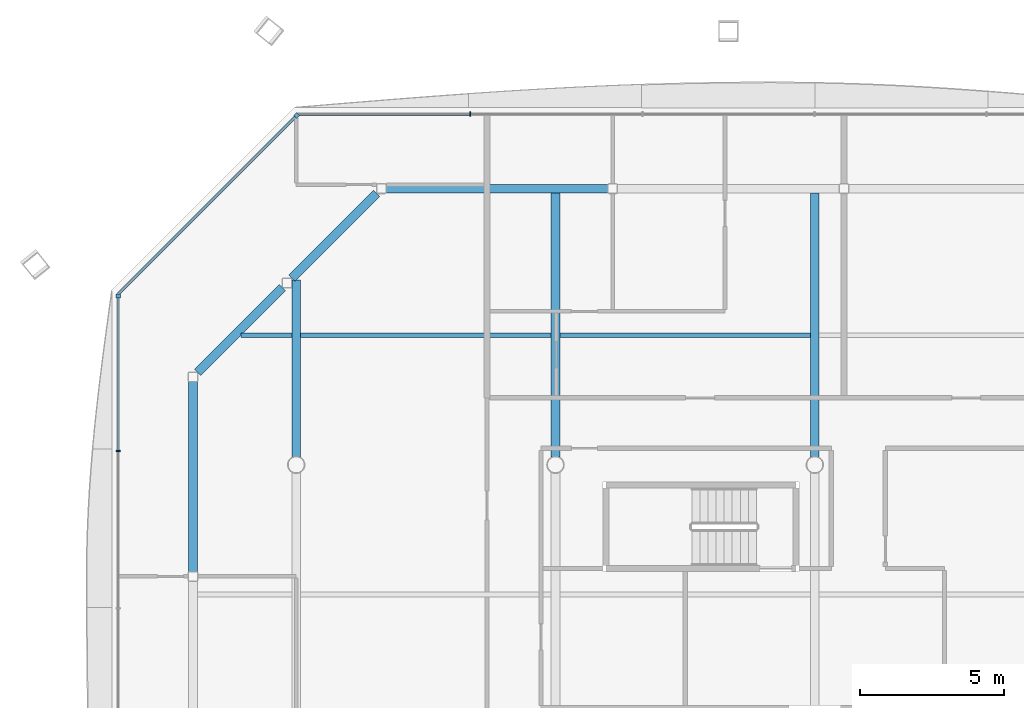
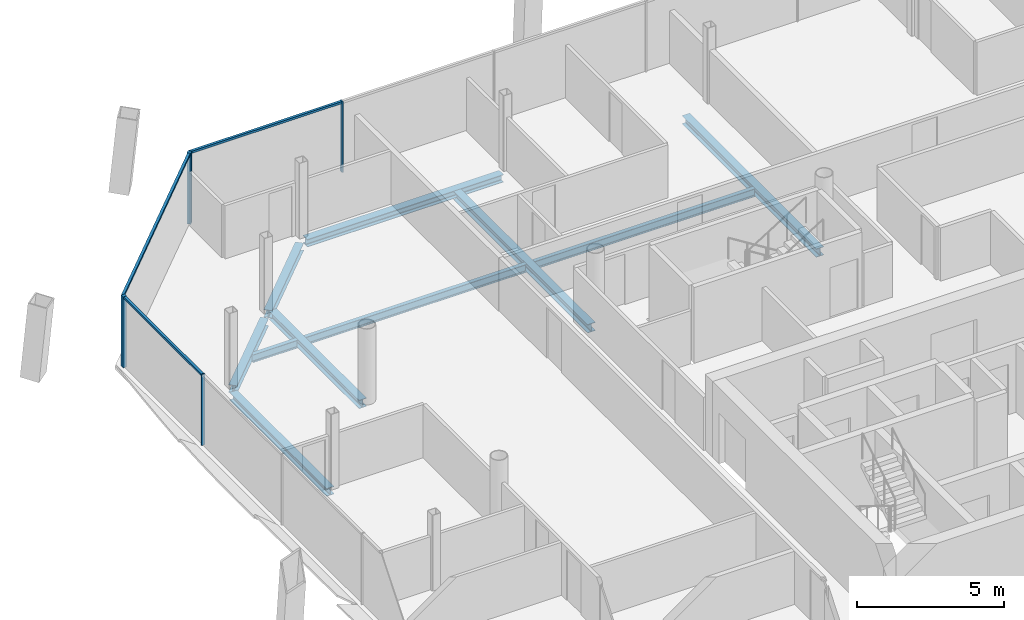
# One storey, part 10 of 20: 10 beams, 7 members, 3 elements without a shape of their own.
"""IFC4 building model written with IfcOpenShell, lengths in metres."""

import ifcopenshell
import ifcopenshell.guid

model = None  # the IFC model being written
_history = None  # IfcOwnerHistory: only IFC2X3 demands one
_inside = {}  # id of a spatial element -> (the spatial element, [elements in it])
_under = {}  # id of a project, library or spatial element -> (it, [spatial elements below it])
_declared = {}  # id of a project -> (the project, [libraries it declares])
_typed = {}  # id of a type object -> (the type object, [elements of that type])
_made_of = {}  # id of a material, layer set ... -> (it, [elements and type objects made of it])


def new_model(schema):
    """Start an empty IFC model of exactly this schema.

    Asked for "IFC4X3", IfcOpenShell would pick the latest addendum, in which some entities
    have other attributes; the version numbers below select the first issue.
    IFC2X3 requires an IfcOwnerHistory on every rooted entity: one is made here for all.
    """
    global model, _history
    if schema == "IFC4X3":
        model = ifcopenshell.file(schema_version=(4, 3, 0, 0))
    else:
        model = ifcopenshell.file(schema=schema)
    _inside.clear()
    _under.clear()
    _declared.clear()
    _typed.clear()
    _made_of.clear()
    _history = None
    if model.schema == "IFC2X3":
        org = make("IfcOrganization", Name="unknown")
        user = make(
            "IfcPersonAndOrganization",
            ThePerson=make("IfcPerson", FamilyName="unknown"),
            TheOrganization=org,
        )
        app = make(
            "IfcApplication",
            ApplicationDeveloper=org,
            Version="unknown",
            ApplicationFullName="unknown",
            ApplicationIdentifier="unknown",
        )
        _history = make(
            "IfcOwnerHistory",
            OwningUser=user,
            OwningApplication=app,
            ChangeAction="ADDED",
            CreationDate=0,
        )
    return model


def make(cls, **values):
    """One entity of the class cls with the attributes given. An attribute that is None is left unset."""
    return model.create_entity(
        cls, **{name: value for name, value in values.items() if value is not None}
    )


def rooted(cls, **values):
    """An entity with a GlobalId (a new one), such as an element, a storey or a relation."""
    return make(cls, GlobalId=ifcopenshell.guid.new(), OwnerHistory=_history, **values)


def si_unit(unit_type, name, prefix=None):
    """IfcSIUnit, for example si_unit("LENGTHUNIT", "METRE", prefix="MILLI")."""
    return make("IfcSIUnit", UnitType=unit_type, Prefix=prefix, Name=name)


def assignment(units):
    """IfcUnitAssignment: the units of a project."""
    return None if units is None else make("IfcUnitAssignment", Units=units)


def point(xyz):
    """IfcCartesianPoint."""
    return None if xyz is None else make("IfcCartesianPoint", Coordinates=xyz)


def direction(xyz):
    """IfcDirection."""
    return None if xyz is None else make("IfcDirection", DirectionRatios=xyz)


def frame(location, z_axis=None, x_axis=None):
    """IfcAxis2Placement3D, a coordinate frame: its origin and axes. An axis left out is left unset."""
    return make(
        "IfcAxis2Placement3D",
        Location=point(location),
        Axis=direction(z_axis),
        RefDirection=direction(x_axis),
    )


def frame_2d(location, x_axis=None):
    """IfcAxis2Placement2D, a coordinate frame in the plane: its origin and x axis."""
    return make(
        "IfcAxis2Placement2D", Location=point(location), RefDirection=direction(x_axis)
    )


def origin():
    """The frame at (0, 0, 0) with its axes left unset."""
    return frame((0.0, 0.0, 0.0))


def origin_2d():
    """The frame at (0, 0) in the plane with its x axis left unset."""
    return frame_2d((0.0, 0.0))


def place(relative_to, where):
    """IfcLocalPlacement: puts the frame where relative to a parent placement (None: the world)."""
    return make(
        "IfcLocalPlacement", PlacementRelTo=relative_to, RelativePlacement=where
    )


def context(
    kind, dimensions, precision=None, world=None, true_north=None, identifier=None
):
    """IfcGeometricRepresentationContext, for example the 3D "Model" context."""
    return make(
        "IfcGeometricRepresentationContext",
        ContextIdentifier=identifier,
        ContextType=kind,
        CoordinateSpaceDimension=dimensions,
        Precision=precision,
        WorldCoordinateSystem=world,
        TrueNorth=true_north,
    )


def subcontext(parent, identifier, kind, view, scale=None):
    """IfcGeometricRepresentationSubContext, for example "Body" below "Model"."""
    return make(
        "IfcGeometricRepresentationSubContext",
        ContextIdentifier=identifier,
        ContextType=kind,
        ParentContext=parent,
        TargetScale=scale,
        TargetView=view,
    )


def project(units=None, contexts=None):
    """IfcProject with its units and contexts."""
    return rooted(
        "IfcProject",
        Name="project",
        RepresentationContexts=contexts,
        UnitsInContext=assignment(units),
    )


def spatial(cls, under=None, at=None, **own):
    """A site, building, storey or space (cls), placed at a placement, below another one or the project."""
    s = rooted(cls, ObjectPlacement=at, **own)
    if under is not None:
        _under.setdefault(under.id(), (under, []))[1].append(s)
    return s


def profile(cls, at=None, kind="AREA", **sizes):
    """A parametric profile (cls). Its sizes go by their IFC names, for example OverallWidth=200.0."""
    return make(cls, ProfileType=kind, Position=at, **sizes)


def rectangle(**sizes):
    """IfcRectangleProfileDef."""
    return profile("IfcRectangleProfileDef", **sizes)


def i_section(**sizes):
    """IfcIShapeProfileDef."""
    return profile("IfcIShapeProfileDef", **sizes)


def extrude(swept, where, along, depth):
    """IfcExtrudedAreaSolid: the profile swept, set in the frame where, extruded along a direction by depth."""
    return make(
        "IfcExtrudedAreaSolid",
        SweptArea=swept,
        Position=where,
        ExtrudedDirection=direction(along),
        Depth=depth,
    )


def shape(context_of_items, identifier, shape_type, items):
    """IfcShapeRepresentation: the items that make up one representation, for example the "Body"."""
    return make(
        "IfcShapeRepresentation",
        ContextOfItems=context_of_items,
        RepresentationIdentifier=identifier,
        RepresentationType=shape_type,
        Items=items,
    )


def material(Name=None, Category=None):
    """IfcMaterial."""
    return make("IfcMaterial", Name=Name, Category=Category)


def material_profile(
    of_material, cross_section, Name=None, Category=None, Priority=None
):
    """IfcMaterialProfile: a cross section and its material."""
    return make(
        "IfcMaterialProfile",
        Name=Name,
        Material=of_material,
        Profile=cross_section,
        Priority=Priority,
        Category=Category,
    )


def profile_set(profiles, Name=None, composite=None):
    """IfcMaterialProfileSet."""
    return make(
        "IfcMaterialProfileSet",
        Name=Name,
        MaterialProfiles=profiles,
        CompositeProfile=composite,
    )


def made_of(thing, what):
    """Note that an element or type object is made of a material, layer set ...; save() writes the relation."""
    if what is not None:
        _made_of.setdefault(what.id(), (what, []))[1].append(thing)
    return thing


def type_object(cls, material=None, **own):
    """A type object (cls), such as IfcWallType, which elements share."""
    return made_of(rooted(cls, **own), material)


def element(
    cls,
    number,
    at=None,
    inside=None,
    cuts=None,
    type_object=None,
    material=None,
    context=None,
    identifier="Body",
    shape_type=None,
    held_by="IfcProductDefinitionShape",
    body=None,
    shapes=None,
    **own,
):
    """One element of the class cls, such as IfcWall. Its Tag is "e" and its number.

    at: its placement. inside: the storey or other place that contains it. cuts: it is an
    opening in that element (IfcRelVoidsElement). A single representation is given by context,
    identifier, shape_type and body (its items); several are given by shapes. held_by: the class
    of the entity that holds the representations. save() writes the other relations.
    """
    e = rooted(cls, Tag="e%d" % number, ObjectPlacement=at, **own)
    if body is not None:
        shapes = [shape(context, identifier, shape_type, body)]
    if shapes is not None:
        e.Representation = make(held_by, Representations=shapes)
    if inside is not None:
        _inside.setdefault(inside.id(), (inside, []))[1].append(e)
    if cuts is not None:
        rooted(
            "IfcRelVoidsElement", RelatingBuildingElement=cuts, RelatedOpeningElement=e
        )
    if type_object is not None:
        _typed.setdefault(type_object.id(), (type_object, []))[1].append(e)
    return made_of(e, material)


def aggregate(whole, parts):
    """IfcRelAggregates: a whole, such as a stair, and the parts it consists of."""
    return rooted("IfcRelAggregates", RelatingObject=whole, RelatedObjects=parts)


def save(model, path):
    """Write the relations noted so far, then the file.

    IfcRelAggregates (storeys below a building ...), IfcRelContainedInSpatialStructure (elements
    in a storey), IfcRelDefinesByType, IfcRelAssociatesMaterial and IfcRelDeclares: one each for
    every whole, place, type object, material and project.
    """
    for whole, parts in _under.values():
        aggregate(whole, parts)
    for where, things in _inside.values():
        rooted(
            "IfcRelContainedInSpatialStructure",
            RelatedElements=things,
            RelatingStructure=where,
        )
    for kind, things in _typed.values():
        rooted("IfcRelDefinesByType", RelatedObjects=things, RelatingType=kind)
    for what, things in _made_of.values():
        rooted("IfcRelAssociatesMaterial", RelatedObjects=things, RelatingMaterial=what)
    for by, libraries in _declared.values():
        rooted("IfcRelDeclares", RelatingContext=by, RelatedDefinitions=libraries)
    model.write(path)


model = new_model("IFC4")

# Units and contexts
model_context = context("Model", 3, precision=1e-05, world=origin(), true_north=direction((0.0, 1.0)))
body_context = subcontext(model_context, "Body", "Model", "MODEL_VIEW")
ifc_project = project(units=[si_unit("LENGTHUNIT", "METRE"), si_unit("AREAUNIT", "SQUARE_METRE"), si_unit("VOLUMEUNIT", "CUBIC_METRE"), si_unit("PLANEANGLEUNIT", "RADIAN"), si_unit("MASSUNIT", "GRAM", prefix="KILO")], contexts=[model_context])

# Site, building, storey
site_placement = place(None, origin())
site = spatial("IfcSite", under=ifc_project, at=site_placement, CompositionType="ELEMENT")
building_placement = place(site_placement, origin())
building = spatial("IfcBuilding", under=site, at=building_placement, Name="Tskaro Facet Tower", CompositionType="ELEMENT")
storey_placement = place(building_placement, frame((0.0, 0.0, 175.35009765625)))
storey = spatial("IfcBuildingStorey", under=building, at=storey_placement, Name="L43", CompositionType="ELEMENT", Elevation=175.35009765625)

# Curtain wall, member
ifc_material_1 = material(Name="Bronze anodised aluminium 6063-T6", Category="aluminium")
curtain_wall_type = type_object("IfcCurtainWallType", Name="Bronze residence curtain wall (FW3)", PredefinedType="NOTDEFINED", material=ifc_material_1)
curtain_wall_1_placement = place(storey_placement, origin())
curtain_wall_1 = element("IfcCurtainWall", 1, at=curtain_wall_1_placement, inside=storey, type_object=curtain_wall_type, Name="FW3 north-west facet L43", PredefinedType="NOTDEFINED")
ifc_material_profile_1 = material_profile(ifc_material_1, rectangle(XDim=0.139892578125, YDim=0.139892578125, at=origin_2d()), Name="Corner post 140x140")
ifc_profile_set_1 = profile_set([ifc_material_profile_1], Name="Bronze anodised aluminium 6063-T6")
member_type_1 = type_object("IfcMemberType", Name="FW3 bronze corner post 140x140", PredefinedType="MULLION", material=ifc_profile_set_1)
member_1_placement = place(storey_placement, frame((-17.98046875, 21.12646484375, 0.0), z_axis=(0.0, 0.0, 1.0), x_axis=(-0.707106781187, -0.707106781187, 0.0)))
member_1 = element("IfcMember", 2, at=member_1_placement, type_object=member_type_1, Name="FW3 north-west corner post", PredefinedType="MULLION", context=body_context, shape_type="SweptSolid", body=[
    extrude(rectangle(XDim=0.139892578125, YDim=0.139892578125, at=origin_2d()), origin(), (0.0, 0.0, 1.0), 2.949951171875),
])

curtain_wall_2_placement = place(storey_placement, origin())
curtain_wall_2 = element("IfcCurtainWall", 3, at=curtain_wall_2_placement, inside=storey, type_object=curtain_wall_type, Name="FW3 west facet L43", PredefinedType="NOTDEFINED")
member_2_placement = place(storey_placement, frame((-24.176025390625, 14.861083984375, 0.0), z_axis=(0.0, 0.0, 1.0), x_axis=(0.0, -1.0, 0.0)))
member_2 = element("IfcMember", 4, at=member_2_placement, type_object=member_type_1, Name="FW3 west corner post", PredefinedType="MULLION", context=body_context, shape_type="SweptSolid", body=[
    extrude(rectangle(XDim=0.139892578125, YDim=0.139892578125, at=origin_2d()), origin(), (0.0, 0.0, 1.0), 2.949951171875),
])

curtain_wall_3_placement = place(storey_placement, origin())
curtain_wall_3 = element("IfcCurtainWall", 5, at=curtain_wall_3_placement, inside=storey, type_object=curtain_wall_type, Name="FW3 north facet L43", PredefinedType="NOTDEFINED")
ifc_material_profile_2 = material_profile(ifc_material_1, rectangle(XDim=0.050048828125, YDim=0.139892578125, at=origin_2d()), Name="Mullion 50x140")
ifc_profile_set_2 = profile_set([ifc_material_profile_2], Name="Bronze anodised aluminium 6063-T6")
member_type_2 = type_object("IfcMemberType", Name="FW3 bronze mullion 50x140", PredefinedType="MULLION", material=ifc_profile_set_2)
member_3_placement = place(storey_placement, frame((-11.95849609375, 21.176025390625, 0.0), z_axis=(0.0, 0.0, 1.0), x_axis=(-1.0, 0.0, 0.0)))
member_3 = element("IfcMember", 6, at=member_3_placement, type_object=member_type_2, Name="FW3 north mullion 4", PredefinedType="MULLION", context=body_context, shape_type="SweptSolid", body=[
    extrude(rectangle(XDim=0.050048828125, YDim=0.139892578125, at=origin_2d()), origin(), (0.0, 0.0, 1.0), 2.949951171875),
])

# Member
member_4_placement = place(storey_placement, frame((-24.176025390625, 9.475830078125, 0.0), z_axis=(0.0, 0.0, 1.0), x_axis=(0.0, -1.0, 0.0)))
member_4 = element("IfcMember", 7, at=member_4_placement, type_object=member_type_2, Name="FW3 west mullion 1", PredefinedType="MULLION", context=body_context, shape_type="SweptSolid", body=[
    extrude(rectangle(XDim=0.050048828125, YDim=0.139892578125, at=origin_2d()), origin(), (0.0, 0.0, 1.0), 2.949951171875),
])

ifc_material_profile_3 = material_profile(ifc_material_1, rectangle(XDim=0.10009765625, YDim=0.090087890625, at=origin_2d()), Name="Transom 100x90")
ifc_profile_set_3 = profile_set([ifc_material_profile_3], Name="Bronze anodised aluminium 6063-T6")
member_type_3 = type_object("IfcMemberType", Name="FW3 bronze transom 100x90", PredefinedType="USERDEFINED", material=ifc_profile_set_3)
member_5_placement = place(storey_placement, frame((-11.983642578125, 21.176025390625, 2.90478515625), z_axis=(-1.0, 0.0, 0.0), x_axis=(0.0, -1.0, 0.0)))
member_5 = element("IfcMember", 8, at=member_5_placement, type_object=member_type_3, Name="FW3 north transom 5.1", ObjectType="TRANSOM", PredefinedType="USERDEFINED", context=body_context, shape_type="SweptSolid", body=[
    extrude(rectangle(XDim=0.10009765625, YDim=0.090087890625, at=origin_2d()), origin(), (0.0, 0.0, 1.0), 5.947265625),
])

aggregate(curtain_wall_3, [member_3, member_5])

member_6_placement = place(storey_placement, frame((-18.030029296875, 21.076904296875, 2.90478515625), z_axis=(-0.707106781187, -0.707106781187, 0.0), x_axis=(0.707106781187, -0.707106781187, 0.0)))
member_6 = element("IfcMember", 9, at=member_6_placement, type_object=member_type_3, Name="FW3 north-west transom 1.1", ObjectType="TRANSOM", PredefinedType="USERDEFINED", context=body_context, shape_type="SweptSolid", body=[
    extrude(rectangle(XDim=0.10009765625, YDim=0.090087890625, at=origin_2d()), origin(), (0.0, 0.0, 1.0), 8.691650390625),
])

aggregate(curtain_wall_1, [member_1, member_6])

member_7_placement = place(storey_placement, frame((-24.176025390625, 14.791015625, 2.90478515625), z_axis=(0.0, -1.0, 0.0), x_axis=(1.0, 0.0, 0.0)))
member_7 = element("IfcMember", 10, at=member_7_placement, type_object=member_type_3, Name="FW3 west transom 1.1", ObjectType="TRANSOM", PredefinedType="USERDEFINED", context=body_context, shape_type="SweptSolid", body=[
    extrude(rectangle(XDim=0.10009765625, YDim=0.090087890625, at=origin_2d()), origin(), (0.0, 0.0, 1.0), 5.290283203125),
])

aggregate(curtain_wall_2, [member_2, member_4, member_7])

# Beams
ifc_material_2 = material(Name="Steel S355J2", Category="steel")
ifc_material_profile_4 = material_profile(ifc_material_2, i_section(OverallWidth=0.300048828125, OverallDepth=0.320068359375, WebThickness=0.011474609375, FlangeThickness=0.0205078125, FilletRadius=0.027099609375, at=origin_2d()), Name="HE 320 B")
ifc_profile_set_4 = profile_set([ifc_material_profile_4], Name="Steel S355J2")
beam_type_1 = type_object("IfcBeamType", Name="HE 320 B ring beam", PredefinedType="BEAM", material=ifc_profile_set_4)
beam_1_placement = place(storey_placement, frame((-7.169921875, 18.5830078125, -0.300048828125), z_axis=(-1.0, 0.0, 0.0), x_axis=(0.0, -1.0, 0.0)))
element("IfcBeam", 11, at=beam_1_placement, inside=storey, type_object=beam_type_1, Name="HE 320 B EB14-4", PredefinedType="BEAM", context=body_context, shape_type="SweptSolid", body=[
    extrude(i_section(OverallWidth=0.300048828125, OverallDepth=0.320068359375, WebThickness=0.011474609375, FlangeThickness=0.0205078125, FilletRadius=0.027099609375, at=origin_2d()), origin(), (0.0, 0.0, 1.0), 7.72119140625),
])
for number, where, z_axis, x_axis, name in (
    (12, (-15.206787109375, 18.422119140625, -0.300048828125), (-0.706989603829, -0.70722393913, 0.0), (0.70722393913, -0.706989603829, 0.0), "HE 320 B EB15-4"),
    (13, (-18.474853515625, 15.153076171875, -0.300048828125), (-0.70722393913, -0.706989603829, 0.0), (0.706989603829, -0.70722393913, 0.0), "HE 320 B EB16-4"),
):
    element("IfcBeam", number, at=place(storey_placement, frame(where, z_axis=z_axis, x_axis=x_axis)), inside=storey, type_object=beam_type_1, Name=name, PredefinedType="BEAM", context=body_context, shape_type="SweptSolid", body=[
        extrude(i_section(OverallWidth=0.300048828125, OverallDepth=0.320068359375, WebThickness=0.011474609375, FlangeThickness=0.0205078125, FilletRadius=0.027099609375, at=origin_2d()), origin(), (0.0, 0.0, 1.0), 4.16748046875),
    ])
beam_2_placement = place(storey_placement, frame((-21.5830078125, 11.89111328125, -0.300048828125), z_axis=(0.0, -1.0, 0.0), x_axis=(1.0, 0.0, 0.0)))
element("IfcBeam", 14, at=beam_2_placement, inside=storey, type_object=beam_type_1, Name="HE 320 B EB17-4", PredefinedType="BEAM", context=body_context, shape_type="SweptSolid", body=[
    extrude(i_section(OverallWidth=0.300048828125, OverallDepth=0.320068359375, WebThickness=0.011474609375, FlangeThickness=0.0205078125, FilletRadius=0.027099609375, at=origin_2d()), origin(), (0.0, 0.0, 1.0), 6.610107421875),
])
ifc_material_profile_5 = material_profile(ifc_material_2, i_section(OverallWidth=0.300048828125, OverallDepth=0.35009765625, WebThickness=0.010009765625, FlangeThickness=0.017578125, FilletRadius=0.027099609375, at=origin_2d()), Name="HE 360 A")
ifc_profile_set_5 = profile_set([ifc_material_profile_5], Name="Steel S355J2")
beam_type_2 = type_object("IfcBeamType", Name="HE 360 A girder", PredefinedType="BEAM", material=ifc_profile_set_5)
beam_3_placement = place(storey_placement, frame((-18.0, 9.27490234375, -0.315185546875), z_axis=(0.0, 1.0, 0.0), x_axis=(-1.0, 0.0, 0.0)))
element("IfcBeam", 15, at=beam_3_placement, inside=storey, type_object=beam_type_2, Name="HE 360 A GB2-4-4", PredefinedType="BEAM", context=body_context, shape_type="SweptSolid", body=[
    extrude(i_section(OverallWidth=0.300048828125, OverallDepth=0.35009765625, WebThickness=0.010009765625, FlangeThickness=0.017578125, FilletRadius=0.027099609375, at=origin_2d()), origin(), (0.0, 0.0, 1.0), 6.14208984375),
])
for number, where, z_axis, x_axis, name in (
    (16, (-9.0, 9.27490234375, -0.315185546875), (0.0, 1.0, 0.0), (-1.0, 0.0, 0.0), "HE 360 A GB3-3-4"),
    (17, (0.0, 9.27490234375, -0.315185546875), (0.0, 1.0, 0.0), (-1.0, 0.0, 0.0), "HE 360 A GB4-3-4"),
):
    element("IfcBeam", number, at=place(storey_placement, frame(where, z_axis=z_axis, x_axis=x_axis)), inside=storey, type_object=beam_type_2, Name=name, PredefinedType="BEAM", context=body_context, shape_type="SweptSolid", body=[
        extrude(i_section(OverallWidth=0.300048828125, OverallDepth=0.35009765625, WebThickness=0.010009765625, FlangeThickness=0.017578125, FilletRadius=0.027099609375, at=origin_2d()), origin(), (0.0, 0.0, 1.0), 9.158203125),
    ])
ifc_material_profile_6 = material_profile(ifc_material_2, i_section(OverallWidth=0.159912109375, OverallDepth=0.330078125, WebThickness=0.007568359375, FlangeThickness=0.011474609375, FilletRadius=0.01806640625, at=origin_2d()), Name="IPE 330")
ifc_profile_set_6 = profile_set([ifc_material_profile_6], Name="Steel S355J2")
beam_type_3 = type_object("IfcBeamType", Name="IPE 330 secondary beam", PredefinedType="BEAM", material=ifc_profile_set_6)
beam_4_placement = place(storey_placement, frame((-19.9169921875, 13.5, -0.30517578125), z_axis=(1.0, 0.0, 0.0), x_axis=(0.0, 1.0, 0.0)))
element("IfcBeam", 18, at=beam_4_placement, inside=storey, type_object=beam_type_3, Name="IPE 330 SB5a-1-4", PredefinedType="BEAM", context=body_context, shape_type="SweptSolid", body=[
    extrude(i_section(OverallWidth=0.159912109375, OverallDepth=0.330078125, WebThickness=0.007568359375, FlangeThickness=0.011474609375, FilletRadius=0.01806640625, at=origin_2d()), origin(), (0.0, 0.0, 1.0), 1.76708984375),
])
for number, where, z_axis, x_axis, name in (
    (19, (-17.85009765625, 13.5, -0.30517578125), (1.0, 0.0, 0.0), (0.0, 1.0, 0.0), "IPE 330 SB5a-2-4"),
    (20, (-8.85009765625, 13.5, -0.30517578125), (1.0, 0.0, 0.0), (0.0, 1.0, 0.0), "IPE 330 SB5a-3-4"),
):
    element("IfcBeam", number, at=place(storey_placement, frame(where, z_axis=z_axis, x_axis=x_axis)), inside=storey, type_object=beam_type_3, Name=name, PredefinedType="BEAM", context=body_context, shape_type="SweptSolid", body=[
        extrude(i_section(OverallWidth=0.159912109375, OverallDepth=0.330078125, WebThickness=0.007568359375, FlangeThickness=0.011474609375, FilletRadius=0.01806640625, at=origin_2d()), origin(), (0.0, 0.0, 1.0), 8.7001953125),
    ])

save(model, "model.ifc")
